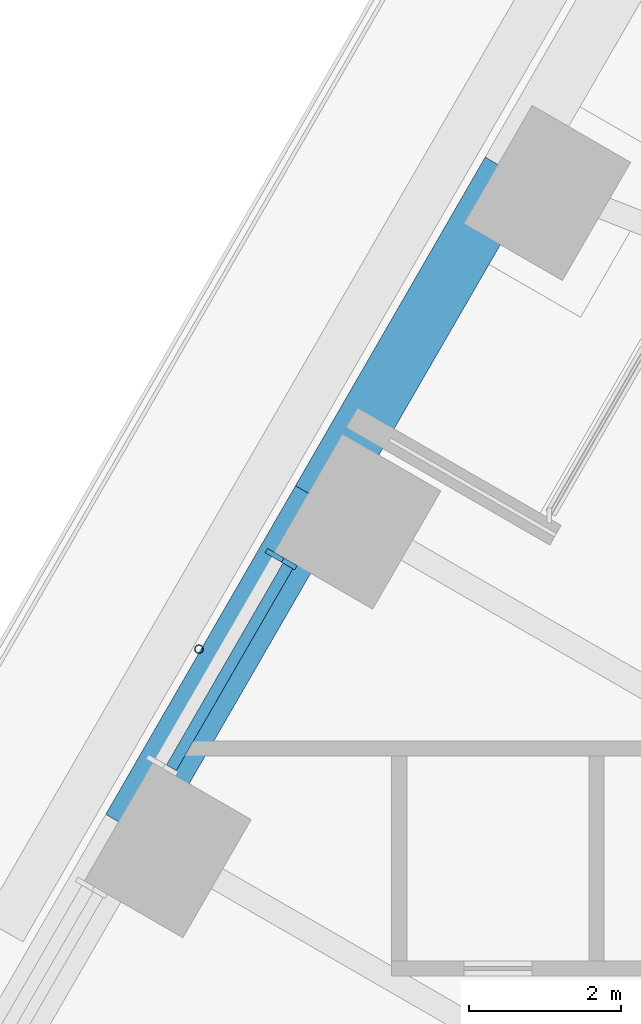
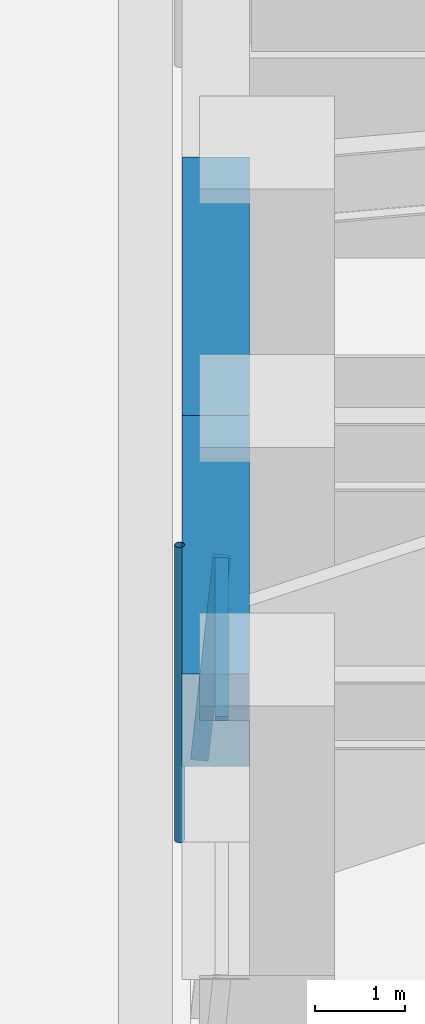
# One storey, part 7 of 24: 3 members, 2 beams, 1 element without a shape of its own.
"""IFC4 building model written with IfcOpenShell, lengths in metres."""

from ifc_helpers import new_model, si_unit, direction, frame, origin, origin_2d, place, context, subcontext, project, spatial, rectangle, hollow_circle, extrude, material, material_profile, profile_set, type_object, element, aggregate, save


model = new_model("IFC4")

# Units and contexts
model_context = context("Model", 3, precision=1e-05, world=origin(), true_north=direction((0.0, 1.0)))
body_context = subcontext(model_context, "Body", "Model", "MODEL_VIEW")
ifc_project = project(units=[si_unit("LENGTHUNIT", "METRE"), si_unit("AREAUNIT", "SQUARE_METRE"), si_unit("VOLUMEUNIT", "CUBIC_METRE"), si_unit("PLANEANGLEUNIT", "RADIAN"), si_unit("MASSUNIT", "GRAM", prefix="KILO")], contexts=[model_context])

# Site, building, storey
site_placement = place(None, origin())
site = spatial("IfcSite", under=ifc_project, at=site_placement, CompositionType="ELEMENT")
building_placement = place(site_placement, origin())
building = spatial("IfcBuilding", under=site, at=building_placement, Name="Tarfa Lantern Tower", CompositionType="ELEMENT")
storey_placement = place(building_placement, frame((0.0, 0.0, 136.300048828125)))
storey = spatial("IfcBuildingStorey", under=building, at=storey_placement, Name="L30", CompositionType="ELEMENT", Elevation=136.300048828125)

# Curtain wall, members
ifc_material_1 = material(Name="Aluminium framed curtain wall", Category="aluminium")
curtain_wall_type = type_object("IfcCurtainWallType", Name="CW2 CANTED GLAZING MID ZONE 2750", PredefinedType="USERDEFINED", material=ifc_material_1)
curtain_wall_placement = place(storey_placement, origin())
curtain_wall = element("IfcCurtainWall", 1, at=curtain_wall_placement, inside=storey, type_object=curtain_wall_type, Name="CW2 NWB L30", ObjectType="CURTAIN WALL", PredefinedType="USERDEFINED")
ifc_material_2 = material(Name="Aluminium mullion", Category="aluminium")
ifc_material_profile_1 = material_profile(ifc_material_2, rectangle(XDim=0.06494140625, YDim=0.199951171875, at=origin_2d()), Name="AL MULLION 65x200")
ifc_profile_set_1 = profile_set([ifc_material_profile_1], Name="Aluminium mullion")
member_type_1 = type_object("IfcMemberType", Name="CWM1 MULLION 65x200", PredefinedType="MULLION", material=ifc_profile_set_1)
member_1_placement = place(storey_placement, frame((-30.161376953125, 10.55908203125, 0.0), z_axis=(0.078422950161, -0.045267813396, 0.995891894715), x_axis=(0.499919672301, 0.866071776036, 0.0)))
member_1 = element("IfcMember", 2, at=member_1_placement, type_object=member_type_1, Name="CW2 mullion 1", PredefinedType="MULLION", context=body_context, shape_type="SweptSolid", body=[
    extrude(rectangle(XDim=0.06494140625, YDim=0.199951171875, at=origin_2d()), origin(), (0.0, 0.0, 1.0), 2.76123046875),
])
ifc_material_3 = material(Name="Aluminium transom", Category="aluminium")
ifc_material_profile_2 = material_profile(ifc_material_3, rectangle(XDim=0.14990234375, YDim=0.06494140625, at=origin_2d()), Name="AL TRANSOM 150x65")
ifc_profile_set_2 = profile_set([ifc_material_profile_2], Name="Aluminium transom")
member_type_2 = type_object("IfcMemberType", Name="CWT1 TRANSOM 150x65", PredefinedType="USERDEFINED", material=ifc_profile_set_2)
member_2_placement = place(storey_placement, frame((-29.963623046875, 10.407470703125, 2.717529296875), z_axis=(-0.500008936691, -0.866020244122, 0.0), x_axis=(0.866020244122, -0.500008936691, 0.0)))
member_2 = element("IfcMember", 3, at=member_2_placement, type_object=member_type_2, Name="CW2 transom 1.2", ObjectType="TRANSOM", PredefinedType="USERDEFINED", context=body_context, shape_type="SweptSolid", body=[
    extrude(rectangle(XDim=0.14990234375, YDim=0.06494140625, at=origin_2d()), origin(), (0.0, 0.0, 1.0), 3.07373046875),
])
aggregate(curtain_wall, [member_1, member_2])

# Beams
ifc_material_4 = material(Name="Concrete C80/95", Category="concrete")
ifc_material_profile_3 = material_profile(ifc_material_4, rectangle(XDim=0.75, YDim=1.25, at=origin_2d()), Name="RC 750x1250")
ifc_profile_set_3 = profile_set([ifc_material_profile_3], Name="Concrete C80/95")
beam_type = type_object("IfcBeamType", Name="EB2 RC 750x1250", PredefinedType="SPANDREL", material=ifc_profile_set_3)
for number, where, z_axis, x_axis, name in (
    (4, (-27.037353515625, 15.610107421875, 3.375), (-0.499964603504, -0.866045838996, 0.0), (0.866045838996, -0.499964603504, 0.0), "Edge beam NW3"),
    (5, (-29.5390625, 11.276611328125, 3.375), (-0.500022324899, -0.866012514114, 0.0), (0.866012514114, -0.500022324899, 0.0), "Edge beam NW4"),
):
    element("IfcBeam", number, at=place(storey_placement, frame(where, z_axis=z_axis, x_axis=x_axis)), inside=storey, type_object=beam_type, Name=name, PredefinedType="SPANDREL", context=body_context, shape_type="SweptSolid", body=[
        extrude(rectangle(XDim=0.75, YDim=1.25, at=origin_2d()), origin(), (0.0, 0.0, 1.0), 5.003662109375),
    ])

# Member
ifc_material_5 = material(Name="Steel S355", Category="steel")
ifc_material_profile_4 = material_profile(ifc_material_5, hollow_circle(Radius=0.05712890625, WallThickness=0.00634765625, at=origin_2d()), Name="CHS114.3x6.3")
ifc_profile_set_4 = profile_set([ifc_material_profile_4], Name="Steel S355")
member_type_3 = type_object("IfcMemberType", Name="TR1 GREEN WALL TRELLIS CHS114.3x6.3", PredefinedType="USERDEFINED", material=ifc_profile_set_4)
member_3_placement = place(storey_placement, frame((-31.136474609375, 9.31005859375, 0.0), z_axis=(0.0, 0.0, 1.0), x_axis=(1.0, 0.0, 0.0)))
element("IfcMember", 6, at=member_3_placement, inside=storey, type_object=member_type_3, Name="Trellis post NW 2", ObjectType="TRELLIS", PredefinedType="USERDEFINED", context=body_context, shape_type="SweptSolid", body=[
    extrude(hollow_circle(Radius=0.05712890625, WallThickness=0.00634765625, at=origin_2d()), origin(), (0.0, 0.0, 1.0), 4.0),
])

save(model, "model.ifc")
